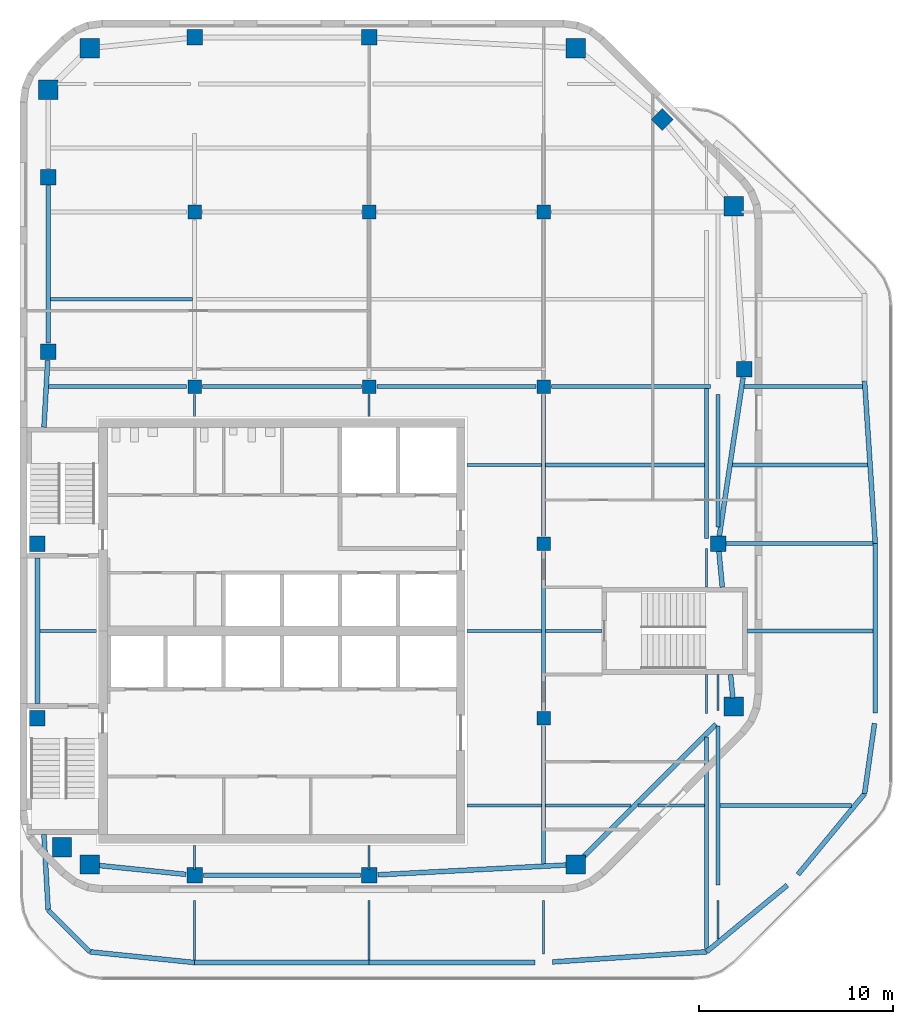
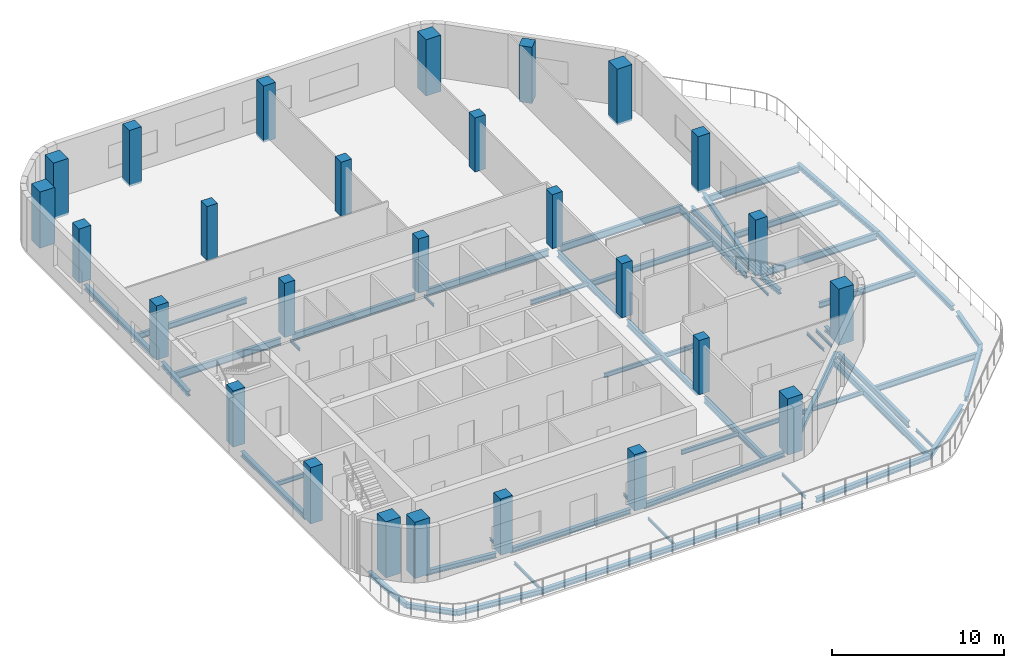
# One storey, part 1 of 7: 57 beams, 27 columns.
"""IFC4 building model written with IfcOpenShell, lengths in metres."""

from ifc_helpers import new_model, si_unit, direction, frame, origin, origin_2d, place, context, subcontext, project, spatial, rectangle, i_section, extrude, material, material_profile, profile_set, type_object, element, save


model = new_model("IFC4")

# Units and contexts
model_context = context("Model", 3, precision=1e-05, world=origin(), true_north=direction((0.0, 1.0)))
body_context = subcontext(model_context, "Body", "Model", "MODEL_VIEW")
ifc_project = project(units=[si_unit("LENGTHUNIT", "METRE"), si_unit("AREAUNIT", "SQUARE_METRE"), si_unit("VOLUMEUNIT", "CUBIC_METRE"), si_unit("PLANEANGLEUNIT", "RADIAN"), si_unit("MASSUNIT", "GRAM", prefix="KILO")], contexts=[model_context])

# Site, building, storey
site_placement = place(None, origin())
site = spatial("IfcSite", under=ifc_project, at=site_placement, CompositionType="ELEMENT")
building_placement = place(site_placement, origin())
building = spatial("IfcBuilding", under=site, at=building_placement, Name="Cinnabar Reach Civic Tower", CompositionType="ELEMENT")
storey_placement = place(building_placement, frame((0.0, 0.0, 247.0)))
storey = spatial("IfcBuildingStorey", under=building, at=storey_placement, Name="L59", CompositionType="ELEMENT", Elevation=247.0)

# Columns
ifc_material_1 = material(Name="Concrete C70", Category="concrete")
ifc_material_profile_1 = material_profile(ifc_material_1, rectangle(XDim=1.0, YDim=1.0, at=origin_2d()), Name="RC1000")
ifc_profile_set_1 = profile_set([ifc_material_profile_1], Name="Concrete C70")
column_type_1 = type_object("IfcColumnType", Name="RC1000 column R 240", PredefinedType="COLUMN", material=ifc_profile_set_1)
for number, where, z_axis, x_axis, name in (
    (1, (3.6019, 19.4531, -0.15), (0.0, 0.0, 1.0), (1.0, 0.0, 0.0), "Column T1-Z5-CC0"),
    (2, (28.6481, 19.4531, -0.15), (0.0, 0.0, 1.0), (1.0, 0.0, 0.0), "Column T1-Z5-CC1"),
    (3, (36.7969, 27.6019, -0.15), (0.0, 0.0, 1.0), (1.0, 0.0, 0.0), "Column T1-Z5-CC2"),
    (4, (36.7969, 53.3981, -0.15), (0.0, 0.0, 1.0), (1.0, 0.0, 0.0), "Column T1-Z5-CC3"),
    (5, (28.6481, 61.5469, -0.15), (0.0, 0.0, 1.0), (1.0, 0.0, 0.0), "Column T1-Z5-CC4"),
    (6, (3.6019, 61.5469, -0.15), (0.0, 0.0, 1.0), (1.0, 0.0, 0.0), "Column T1-Z5-CC5"),
    (7, (1.4531, 59.3981, -0.15), (0.0, 0.0, 1.0), (1.0, 0.0, 0.0), "Column T1-Z5-CC6"),
    (8, (2.1631, 20.35, -0.15), (0.0, 0.0, 1.0), (1.0, 0.0, 0.0), "Column T1-Z5-CC7"),
):
    element("IfcColumn", number, at=place(storey_placement, frame(where, z_axis=z_axis, x_axis=x_axis)), inside=storey, type_object=column_type_1, Name=name, PredefinedType="COLUMN", context=body_context, shape_type="SweptSolid", body=[
        extrude(rectangle(XDim=1.0, YDim=1.0, at=origin_2d()), origin(), (0.0, 0.0, 1.0), 4.0),
    ])
ifc_material_2 = material(Name="Concrete C60", Category="concrete")
ifc_material_profile_2 = material_profile(ifc_material_2, rectangle(XDim=0.7, YDim=0.7, at=origin_2d()), Name="RC700")
ifc_profile_set_2 = profile_set([ifc_material_profile_2], Name="Concrete C60")
column_type_2 = type_object("IfcColumnType", Name="RC700 column R 240", PredefinedType="COLUMN", material=ifc_profile_set_2)
for number, where, z_axis, x_axis, name in (
    (9, (9.0, 44.1, 0.0), (0.0, 0.0, 1.0), (1.0, 0.0, 0.0), "Column T1-Z5-I9_45"),
    (10, (9.0, 53.1, 0.0), (0.0, 0.0, 1.0), (1.0, 0.0, 0.0), "Column T1-Z5-I9_54"),
    (11, (18.0, 44.1, 0.0), (0.0, 0.0, 1.0), (1.0, 0.0, 0.0), "Column T1-Z5-I18_45"),
    (12, (18.0, 53.1, 0.0), (0.0, 0.0, 1.0), (1.0, 0.0, 0.0), "Column T1-Z5-I18_54"),
    (13, (27.0, 27.0, 0.0), (0.0, 0.0, 1.0), (1.0, 0.0, 0.0), "Column T1-Z5-I27_27"),
    (14, (27.0, 36.0, 0.0), (0.0, 0.0, 1.0), (1.0, 0.0, 0.0), "Column T1-Z5-I27_36"),
    (15, (27.0, 44.1, 0.0), (0.0, 0.0, 1.0), (1.0, 0.0, 0.0), "Column T1-Z5-I27_45"),
    (16, (27.0, 53.1, 0.0), (0.0, 0.0, 1.0), (1.0, 0.0, 0.0), "Column T1-Z5-I27_54"),
):
    element("IfcColumn", number, at=place(storey_placement, frame(where, z_axis=z_axis, x_axis=x_axis)), inside=storey, type_object=column_type_2, Name=name, PredefinedType="COLUMN", context=body_context, shape_type="SweptSolid", body=[
        extrude(rectangle(XDim=0.7, YDim=0.7, at=origin_2d()), origin(), (0.0, 0.0, 1.0), 3.85),
    ])
ifc_material_profile_3 = material_profile(ifc_material_2, rectangle(XDim=0.8, YDim=0.8, at=origin_2d()), Name="RC800")
ifc_profile_set_3 = profile_set([ifc_material_profile_3], Name="Concrete C60")
column_type_3 = type_object("IfcColumnType", Name="RC800 column R 240", PredefinedType="COLUMN", material=ifc_profile_set_3)
for number, where, z_axis, x_axis, name in (
    (17, (9.0, 18.9, -0.15), (0.0, 0.0, 1.0), (1.0, 0.0, 0.0), "Column T1-Z5-F0-1"),
    (18, (18.0, 18.9, -0.15), (0.0, 0.0, 1.0), (1.0, 0.0, 0.0), "Column T1-Z5-F0-2"),
    (19, (36.0, 36.0, -0.15), (0.0, 0.0, 1.0), (1.0, 0.0, 0.0), "Column T1-Z5-F2-4"),
    (20, (37.35, 45.0, -0.15), (0.0, 0.0, 1.0), (1.0, 0.0, 0.0), "Column T1-Z5-F2-5"),
    (21, (33.1136, 57.8636, -0.15), (0.0, 0.0, 1.0), (0.707106781187, 0.707106781187, 0.0), "Column T1-Z5-F3-M"),
    (22, (9.0, 62.1, -0.15), (0.0, 0.0, 1.0), (1.0, 0.0, 0.0), "Column T1-Z5-F4-1"),
    (23, (18.0, 62.1, -0.15), (0.0, 0.0, 1.0), (1.0, 0.0, 0.0), "Column T1-Z5-F4-2"),
    (24, (0.9, 27.0, 0.0), (0.0, 0.0, 1.0), (1.0, 0.0, 0.0), "Column T1-Z5-F6-3"),
    (25, (0.9, 36.0, 0.0), (0.0, 0.0, 1.0), (1.0, 0.0, 0.0), "Column T1-Z5-F6-4"),
):
    element("IfcColumn", number, at=place(storey_placement, frame(where, z_axis=z_axis, x_axis=x_axis)), inside=storey, type_object=column_type_3, Name=name, PredefinedType="COLUMN", context=body_context, shape_type="SweptSolid", body=[
        extrude(rectangle(XDim=0.8, YDim=0.8, at=origin_2d()), origin(), (0.0, 0.0, 1.0), 4.0),
    ])
for number, where, z_axis, x_axis, name in (
    (26, (1.4531, 45.8981, 0.0), (0.0, 0.0, 1.0), (1.0, 0.0, 0.0), "Column T1-Z5-F6-5"),
    (27, (1.4531, 54.8981, 0.0), (0.0, 0.0, 1.0), (1.0, 0.0, 0.0), "Column T1-Z5-F6-6"),
):
    element("IfcColumn", number, at=place(storey_placement, frame(where, z_axis=z_axis, x_axis=x_axis)), inside=storey, type_object=column_type_3, Name=name, PredefinedType="COLUMN", context=body_context, shape_type="SweptSolid", body=[
        extrude(rectangle(XDim=0.8, YDim=0.8, at=origin_2d()), origin(), (0.0, 0.0, 1.0), 3.85),
    ])

# Beams
ifc_material_3 = material(Name="Steel Q355B", Category="steel")
ifc_material_profile_4 = material_profile(ifc_material_3, i_section(OverallWidth=0.25, OverallDepth=0.34, WebThickness=0.009, FlangeThickness=0.014, FilletRadius=0.013, at=origin_2d()), Name="HM340x250x9x14")
ifc_profile_set_4 = profile_set([ifc_material_profile_4], Name="Steel Q355B")
beam_type_1 = type_object("IfcBeamType", Name="HM340x250x9x14 beam R 180", PredefinedType="BEAM", material=ifc_profile_set_4)
beam_1_placement = place(storey_placement, frame((4.0339, 19.4088, -0.32), z_axis=(0.994792272495, -0.101923179821, 0.0), x_axis=(0.101923179821, 0.994792272495, 0.0)))
element("IfcBeam", 28, at=beam_1_placement, inside=storey, type_object=beam_type_1, Name="Edge beam T1 L59 1", PredefinedType="BEAM", context=body_context, shape_type="SweptSolid", body=[
    extrude(i_section(OverallWidth=0.25, OverallDepth=0.34, WebThickness=0.009, FlangeThickness=0.014, FilletRadius=0.013, at=origin_2d()), origin(), (0.0, 0.0, 1.0), 4.5377),
])
beam_2_placement = place(storey_placement, frame((9.452, 18.9, -0.32), z_axis=(1.0, 0.0, 0.0), x_axis=(0.0, 1.0, 0.0)))
element("IfcBeam", 29, at=beam_2_placement, inside=storey, type_object=beam_type_1, Name="Edge beam T1 L59 2", PredefinedType="BEAM", context=body_context, shape_type="SweptSolid", body=[
    extrude(i_section(OverallWidth=0.25, OverallDepth=0.34, WebThickness=0.009, FlangeThickness=0.014, FilletRadius=0.013, at=origin_2d()), origin(), (0.0, 0.0, 1.0), 8.096),
])
beam_3_placement = place(storey_placement, frame((18.452, 18.9235, -0.32), z_axis=(0.998653562367, 0.051875450562, 0.0), x_axis=(-0.051875450562, 0.998653562367, 0.0)))
element("IfcBeam", 30, at=beam_3_placement, inside=storey, type_object=beam_type_1, Name="Edge beam T1 L59 3", PredefinedType="BEAM", context=body_context, shape_type="SweptSolid", body=[
    extrude(i_section(OverallWidth=0.25, OverallDepth=0.34, WebThickness=0.009, FlangeThickness=0.014, FilletRadius=0.013, at=origin_2d()), origin(), (0.0, 0.0, 1.0), 9.7773),
])
beam_4_placement = place(storey_placement, frame((29.0801, 19.8851, -0.32), z_axis=(0.707106781187, 0.707106781187, 0.0), x_axis=(-0.707106781187, 0.707106781187, 0.0)))
element("IfcBeam", 31, at=beam_4_placement, inside=storey, type_object=beam_type_1, Name="Edge beam T1 L59 4", PredefinedType="BEAM", context=body_context, shape_type="SweptSolid", body=[
    extrude(i_section(OverallWidth=0.25, OverallDepth=0.34, WebThickness=0.009, FlangeThickness=0.014, FilletRadius=0.013, at=origin_2d()), origin(), (0.0, 0.0, 1.0), 9.6254),
])
beam_5_placement = place(storey_placement, frame((36.7559, 28.0339, -0.32), z_axis=(-0.094460828855, 0.995528579104, 0.0), x_axis=(-0.995528579104, -0.094460828855, 0.0)))
element("IfcBeam", 32, at=beam_5_placement, inside=storey, type_object=beam_type_1, Name="Edge beam T1 L59 5", PredefinedType="BEAM", context=body_context, shape_type="SweptSolid", body=[
    extrude(i_section(OverallWidth=0.25, OverallDepth=0.34, WebThickness=0.009, FlangeThickness=0.014, FilletRadius=0.013, at=origin_2d()), origin(), (0.0, 0.0, 1.0), 1.2196),
])
beam_6_placement = place(storey_placement, frame((36.2133, 33.752, -0.32), z_axis=(-0.09447742534, 0.995527004205, 0.0), x_axis=(-0.995527004205, -0.09447742534, 0.0)))
element("IfcBeam", 33, at=beam_6_placement, inside=storey, type_object=beam_type_1, Name="Edge beam T1 L59 6", PredefinedType="BEAM", context=body_context, shape_type="SweptSolid", body=[
    extrude(i_section(OverallWidth=0.25, OverallDepth=0.34, WebThickness=0.009, FlangeThickness=0.014, FilletRadius=0.013, at=origin_2d()), origin(), (0.0, 0.0, 1.0), 1.992),
])
beam_7_placement = place(storey_placement, frame((36.0387, 36.2577, -0.32), z_axis=(0.148335203069, 0.988937140333, 0.0), x_axis=(-0.988937140333, 0.148335203069, 0.0)))
element("IfcBeam", 34, at=beam_7_placement, inside=storey, type_object=beam_type_1, Name="Edge beam T1 L59 7", PredefinedType="BEAM", context=body_context, shape_type="SweptSolid", body=[
    extrude(i_section(OverallWidth=0.25, OverallDepth=0.34, WebThickness=0.009, FlangeThickness=0.014, FilletRadius=0.013, at=origin_2d()), origin(), (0.0, 0.0, 1.0), 8.383),
])
beam_8_placement = place(storey_placement, frame((1.4531, 54.4661, -0.32), z_axis=(0.0, -1.0, 0.0), x_axis=(1.0, 0.0, 0.0)))
element("IfcBeam", 35, at=beam_8_placement, inside=storey, type_object=beam_type_1, Name="Edge beam T1 L59 16", PredefinedType="BEAM", context=body_context, shape_type="SweptSolid", body=[
    extrude(i_section(OverallWidth=0.25, OverallDepth=0.34, WebThickness=0.009, FlangeThickness=0.014, FilletRadius=0.013, at=origin_2d()), origin(), (0.0, 0.0, 1.0), 8.116),
])
beam_9_placement = place(storey_placement, frame((1.4278, 45.4461, -0.32), z_axis=(-0.0557766862, -0.998443268932, 0.0), x_axis=(0.998443268932, -0.0557766862, 0.0)))
element("IfcBeam", 36, at=beam_9_placement, inside=storey, type_object=beam_type_1, Name="Edge beam T1 L59 17", PredefinedType="BEAM", context=body_context, shape_type="SweptSolid", body=[
    extrude(i_section(OverallWidth=0.25, OverallDepth=0.34, WebThickness=0.009, FlangeThickness=0.014, FilletRadius=0.013, at=origin_2d()), origin(), (0.0, 0.0, 1.0), 3.4495),
])
beam_10_placement = place(storey_placement, frame((0.9, 35.248, -0.32), z_axis=(0.0, -1.0, 0.0), x_axis=(1.0, 0.0, 0.0)))
element("IfcBeam", 37, at=beam_10_placement, inside=storey, type_object=beam_type_1, Name="Edge beam T1 L59 18", PredefinedType="BEAM", context=body_context, shape_type="SweptSolid", body=[
    extrude(i_section(OverallWidth=0.25, OverallDepth=0.34, WebThickness=0.009, FlangeThickness=0.014, FilletRadius=0.013, at=origin_2d()), origin(), (0.0, 0.0, 1.0), 7.496),
])
beam_11_placement = place(storey_placement, frame((3.6019, 14.9531, -0.32), z_axis=(0.994791744888, -0.101928329245, 0.0), x_axis=(0.101928329245, 0.994791744888, 0.0)))
element("IfcBeam", 38, at=beam_11_placement, inside=storey, type_object=beam_type_1, Name="Edge beam T1 L59 19", PredefinedType="BEAM", context=body_context, shape_type="SweptSolid", body=[
    extrude(i_section(OverallWidth=0.25, OverallDepth=0.34, WebThickness=0.009, FlangeThickness=0.014, FilletRadius=0.013, at=origin_2d()), origin(), (0.0, 0.0, 1.0), 5.4264),
])
beam_12_placement = place(storey_placement, frame((9.0, 14.4, -0.32), z_axis=(1.0, 0.0, 0.0), x_axis=(0.0, 1.0, 0.0)))
element("IfcBeam", 39, at=beam_12_placement, inside=storey, type_object=beam_type_1, Name="Edge beam T1 L59 20", PredefinedType="BEAM", context=body_context, shape_type="SweptSolid", body=[
    extrude(i_section(OverallWidth=0.25, OverallDepth=0.34, WebThickness=0.009, FlangeThickness=0.014, FilletRadius=0.013, at=origin_2d()), origin(), (0.0, 0.0, 1.0), 9.0),
])
beam_13_placement = place(storey_placement, frame((18.0, 14.4, -0.32), z_axis=(1.0, 0.0, 0.0), x_axis=(0.0, 1.0, 0.0)))
element("IfcBeam", 40, at=beam_13_placement, inside=storey, type_object=beam_type_1, Name="Edge beam T1 L59 21", PredefinedType="BEAM", context=body_context, shape_type="SweptSolid", body=[
    extrude(i_section(OverallWidth=0.25, OverallDepth=0.34, WebThickness=0.009, FlangeThickness=0.014, FilletRadius=0.013, at=origin_2d()), origin(), (0.0, 0.0, 1.0), 8.548),
])
beam_14_placement = place(storey_placement, frame((27.452, 14.4298, -0.32), z_axis=(0.997838508374, 0.065713858551, 0.0), x_axis=(-0.065713858551, 0.997838508374, 0.0)))
element("IfcBeam", 41, at=beam_14_placement, inside=storey, type_object=beam_type_1, Name="Edge beam T1 L59 22", PredefinedType="BEAM", context=body_context, shape_type="SweptSolid", body=[
    extrude(i_section(OverallWidth=0.25, OverallDepth=0.34, WebThickness=0.009, FlangeThickness=0.014, FilletRadius=0.013, at=origin_2d()), origin(), (0.0, 0.0, 1.0), 7.9633),
])
for number, where, z_axis, x_axis, name in (
    (42, (35.3981, 14.9531, -0.32), (0.77143719796, 0.636305468784, 0.0), (-0.636305468784, 0.77143719796, 0.0), "Edge beam T1 L59 23"),
    (43, (40.1142, 18.9402, -0.32), (0.636305468784, 0.77143719796, 0.0), (-0.77143719796, 0.636305468784, 0.0), "Edge beam T1 L59 24"),
):
    element("IfcBeam", number, at=place(storey_placement, frame(where, z_axis=z_axis, x_axis=x_axis)), inside=storey, type_object=beam_type_1, Name=name, PredefinedType="BEAM", context=body_context, shape_type="SweptSolid", body=[
        extrude(i_section(OverallWidth=0.25, OverallDepth=0.34, WebThickness=0.009, FlangeThickness=0.014, FilletRadius=0.013, at=origin_2d()), origin(), (0.0, 0.0, 1.0), 5.3947),
    ])
beam_15_placement = place(storey_placement, frame((43.5469, 23.1019, -0.32), z_axis=(0.140473335285, 0.990084462091, 0.0), x_axis=(-0.990084462091, 0.140473335285, 0.0)))
element("IfcBeam", 44, at=beam_15_placement, inside=storey, type_object=beam_type_1, Name="Edge beam T1 L59 25", PredefinedType="BEAM", context=body_context, shape_type="SweptSolid", body=[
    extrude(i_section(OverallWidth=0.25, OverallDepth=0.34, WebThickness=0.009, FlangeThickness=0.014, FilletRadius=0.013, at=origin_2d()), origin(), (0.0, 0.0, 1.0), 3.6626),
])
beam_16_placement = place(storey_placement, frame((44.1, 27.27, -0.32), z_axis=(0.0, 1.0, 0.0), x_axis=(-1.0, 0.0, 0.0)))
element("IfcBeam", 45, at=beam_16_placement, inside=storey, type_object=beam_type_1, Name="Edge beam T1 L59 26", PredefinedType="BEAM", context=body_context, shape_type="SweptSolid", body=[
    extrude(i_section(OverallWidth=0.25, OverallDepth=0.34, WebThickness=0.009, FlangeThickness=0.014, FilletRadius=0.013, at=origin_2d()), origin(), (0.0, 0.0, 1.0), 8.73),
])
beam_17_placement = place(storey_placement, frame((44.1, 36.0, -0.32), z_axis=(-0.065717761969, 0.997838251302, 0.0), x_axis=(-0.997838251302, -0.065717761969, 0.0)))
element("IfcBeam", 46, at=beam_17_placement, inside=storey, type_object=beam_type_1, Name="Edge beam T1 L59 27", PredefinedType="BEAM", context=body_context, shape_type="SweptSolid", body=[
    extrude(i_section(OverallWidth=0.25, OverallDepth=0.34, WebThickness=0.009, FlangeThickness=0.014, FilletRadius=0.013, at=origin_2d()), origin(), (0.0, 0.0, 1.0), 8.4163),
])
beam_18_placement = place(storey_placement, frame((1.2354, 20.998, -0.32), z_axis=(0.055789365117, -0.998442560561, 0.0), x_axis=(0.998442560561, 0.055789365117, 0.0)))
element("IfcBeam", 47, at=beam_18_placement, inside=storey, type_object=beam_type_1, Name="Edge beam T1 L59 31", PredefinedType="BEAM", context=body_context, shape_type="SweptSolid", body=[
    extrude(i_section(OverallWidth=0.25, OverallDepth=0.34, WebThickness=0.009, FlangeThickness=0.014, FilletRadius=0.013, at=origin_2d()), origin(), (0.0, 0.0, 1.0), 3.9022),
])
beam_19_placement = place(storey_placement, frame((1.4531, 17.1019, -0.32), z_axis=(0.707106781187, -0.707106781187, 0.0), x_axis=(0.707106781187, 0.707106781187, 0.0)))
element("IfcBeam", 48, at=beam_19_placement, inside=storey, type_object=beam_type_1, Name="Edge beam T1 L59 32", PredefinedType="BEAM", context=body_context, shape_type="SweptSolid", body=[
    extrude(i_section(OverallWidth=0.25, OverallDepth=0.34, WebThickness=0.009, FlangeThickness=0.014, FilletRadius=0.013, at=origin_2d()), origin(), (0.0, 0.0, 1.0), 3.0389),
])
ifc_material_profile_5 = material_profile(ifc_material_3, i_section(OverallWidth=0.099, OverallDepth=0.198, WebThickness=0.0045, FlangeThickness=0.007, FilletRadius=0.013, at=origin_2d()), Name="HN200x100x5.5x8")
ifc_profile_set_5 = profile_set([ifc_material_profile_5], Name="Steel Q355B")
beam_type_2 = type_object("IfcBeamType", Name="HN200x100x5.5x8 beam R 180", PredefinedType="BEAM", material=ifc_profile_set_5)
beam_20_placement = place(storey_placement, frame((9.0, 14.5277, -0.249), z_axis=(0.0, 1.0, 0.0), x_axis=(-1.0, 0.0, 0.0)))
element("IfcBeam", 49, at=beam_20_placement, inside=storey, type_object=beam_type_2, Name="Girder T1 L59 1", PredefinedType="BEAM", context=body_context, shape_type="SweptSolid", body=[
    extrude(i_section(OverallWidth=0.099, OverallDepth=0.198, WebThickness=0.0045, FlangeThickness=0.007, FilletRadius=0.013, at=origin_2d()), origin(), (0.0, 0.0, 1.0), 3.0703),
])
beam_21_placement = place(storey_placement, frame((9.0, 19.202, -0.249), z_axis=(0.0, 1.0, 0.0), x_axis=(-1.0, 0.0, 0.0)))
element("IfcBeam", 50, at=beam_21_placement, inside=storey, type_object=beam_type_2, Name="Girder T1 L59 2", PredefinedType="BEAM", context=body_context, shape_type="SweptSolid", body=[
    extrude(i_section(OverallWidth=0.099, OverallDepth=0.198, WebThickness=0.0045, FlangeThickness=0.007, FilletRadius=0.013, at=origin_2d()), origin(), (0.0, 0.0, 1.0), 1.246),
])
beam_22_placement = place(storey_placement, frame((9.0, 42.552, -0.249), z_axis=(0.0, 1.0, 0.0), x_axis=(-1.0, 0.0, 0.0)))
element("IfcBeam", 51, at=beam_22_placement, inside=storey, type_object=beam_type_2, Name="Girder T1 L59 3", PredefinedType="BEAM", context=body_context, shape_type="SweptSolid", body=[
    extrude(i_section(OverallWidth=0.099, OverallDepth=0.198, WebThickness=0.0045, FlangeThickness=0.007, FilletRadius=0.013, at=origin_2d()), origin(), (0.0, 0.0, 1.0), 1.146),
])
beam_23_placement = place(storey_placement, frame((18.0, 14.527, -0.249), z_axis=(0.0, 1.0, 0.0), x_axis=(-1.0, 0.0, 0.0)))
element("IfcBeam", 52, at=beam_23_placement, inside=storey, type_object=beam_type_2, Name="Girder T1 L59 6", PredefinedType="BEAM", context=body_context, shape_type="SweptSolid", body=[
    extrude(i_section(OverallWidth=0.099, OverallDepth=0.198, WebThickness=0.0045, FlangeThickness=0.007, FilletRadius=0.013, at=origin_2d()), origin(), (0.0, 0.0, 1.0), 3.071),
])
beam_24_placement = place(storey_placement, frame((18.0, 19.202, -0.249), z_axis=(0.0, 1.0, 0.0), x_axis=(-1.0, 0.0, 0.0)))
element("IfcBeam", 53, at=beam_24_placement, inside=storey, type_object=beam_type_2, Name="Girder T1 L59 7", PredefinedType="BEAM", context=body_context, shape_type="SweptSolid", body=[
    extrude(i_section(OverallWidth=0.099, OverallDepth=0.198, WebThickness=0.0045, FlangeThickness=0.007, FilletRadius=0.013, at=origin_2d()), origin(), (0.0, 0.0, 1.0), 1.246),
])
beam_25_placement = place(storey_placement, frame((18.0, 42.552, -0.249), z_axis=(0.0, 1.0, 0.0), x_axis=(-1.0, 0.0, 0.0)))
element("IfcBeam", 54, at=beam_25_placement, inside=storey, type_object=beam_type_2, Name="Girder T1 L59 8", PredefinedType="BEAM", context=body_context, shape_type="SweptSolid", body=[
    extrude(i_section(OverallWidth=0.099, OverallDepth=0.198, WebThickness=0.0045, FlangeThickness=0.007, FilletRadius=0.013, at=origin_2d()), origin(), (0.0, 0.0, 1.0), 1.146),
])
beam_26_placement = place(storey_placement, frame((27.0, 14.852, -0.249), z_axis=(0.0, 1.0, 0.0), x_axis=(-1.0, 0.0, 0.0)))
element("IfcBeam", 55, at=beam_26_placement, inside=storey, type_object=beam_type_2, Name="Girder T1 L59 11", PredefinedType="BEAM", context=body_context, shape_type="SweptSolid", body=[
    extrude(i_section(OverallWidth=0.099, OverallDepth=0.198, WebThickness=0.0045, FlangeThickness=0.007, FilletRadius=0.013, at=origin_2d()), origin(), (0.0, 0.0, 1.0), 2.746),
])
for number, where, z_axis, x_axis, name in (
    (56, (35.3981, 27.252, -0.249), (0.0, 1.0, 0.0), (-1.0, 0.0, 0.0), "Girder T1 L59 19"),
    (57, (35.3981, 33.752, -0.249), (0.0, 1.0, 0.0), (-1.0, 0.0, 0.0), "Girder T1 L59 20"),
):
    element("IfcBeam", number, at=place(storey_placement, frame(where, z_axis=z_axis, x_axis=x_axis)), inside=storey, type_object=beam_type_2, Name=name, PredefinedType="BEAM", context=body_context, shape_type="SweptSolid", body=[
        extrude(i_section(OverallWidth=0.099, OverallDepth=0.198, WebThickness=0.0045, FlangeThickness=0.007, FilletRadius=0.013, at=origin_2d()), origin(), (0.0, 0.0, 1.0), 1.996),
    ])
beam_27_placement = place(storey_placement, frame((36.0, 15.6142, -0.249), z_axis=(0.0, 1.0, 0.0), x_axis=(-1.0, 0.0, 0.0)))
element("IfcBeam", 58, at=beam_27_placement, inside=storey, type_object=beam_type_2, Name="Girder T1 L59 25", PredefinedType="BEAM", context=body_context, shape_type="SweptSolid", body=[
    extrude(i_section(OverallWidth=0.099, OverallDepth=0.198, WebThickness=0.0045, FlangeThickness=0.007, FilletRadius=0.013, at=origin_2d()), origin(), (0.0, 0.0, 1.0), 1.9838),
])
beam_28_placement = place(storey_placement, frame((36.0, 27.402, -0.249), z_axis=(0.0, 1.0, 0.0), x_axis=(-1.0, 0.0, 0.0)))
element("IfcBeam", 59, at=beam_28_placement, inside=storey, type_object=beam_type_2, Name="Girder T1 L59 27", PredefinedType="BEAM", context=body_context, shape_type="SweptSolid", body=[
    extrude(i_section(OverallWidth=0.099, OverallDepth=0.198, WebThickness=0.0045, FlangeThickness=0.007, FilletRadius=0.013, at=origin_2d()), origin(), (0.0, 0.0, 1.0), 1.846),
])
ifc_material_profile_6 = material_profile(ifc_material_3, i_section(OverallWidth=0.15, OverallDepth=0.3, WebThickness=0.0065, FlangeThickness=0.009, FilletRadius=0.013, at=origin_2d()), Name="HN300x150x6.5x9")
ifc_profile_set_6 = profile_set([ifc_material_profile_6], Name="Steel Q355B")
beam_type_3 = type_object("IfcBeamType", Name="HN300x150x6.5x9 beam R 180", PredefinedType="BEAM", material=ifc_profile_set_6)
beam_29_placement = place(storey_placement, frame((23.052, 22.5, -0.3), z_axis=(1.0, 0.0, 0.0), x_axis=(0.0, 1.0, 0.0)))
element("IfcBeam", 60, at=beam_29_placement, inside=storey, type_object=beam_type_3, Name="Secondary beam T1 L59 1", PredefinedType="BEAM", context=body_context, shape_type="SweptSolid", body=[
    extrude(i_section(OverallWidth=0.15, OverallDepth=0.3, WebThickness=0.0065, FlangeThickness=0.009, FilletRadius=0.013, at=origin_2d()), origin(), (0.0, 0.0, 1.0), 3.846),
])
beam_30_placement = place(storey_placement, frame((27.102, 22.5, -0.3), z_axis=(1.0, 0.0, 0.0), x_axis=(0.0, 1.0, 0.0)))
element("IfcBeam", 61, at=beam_30_placement, inside=storey, type_object=beam_type_3, Name="Secondary beam T1 L59 2", PredefinedType="BEAM", context=body_context, shape_type="SweptSolid", body=[
    extrude(i_section(OverallWidth=0.15, OverallDepth=0.3, WebThickness=0.0065, FlangeThickness=0.009, FilletRadius=0.013, at=origin_2d()), origin(), (0.0, 0.0, 1.0), 4.4134),
])
beam_31_placement = place(storey_placement, frame((31.8746, 22.5, -0.3), z_axis=(1.0, 0.0, 0.0), x_axis=(0.0, 1.0, 0.0)))
element("IfcBeam", 62, at=beam_31_placement, inside=storey, type_object=beam_type_3, Name="Secondary beam T1 L59 3", PredefinedType="BEAM", context=body_context, shape_type="SweptSolid", body=[
    extrude(i_section(OverallWidth=0.15, OverallDepth=0.3, WebThickness=0.0065, FlangeThickness=0.009, FilletRadius=0.013, at=origin_2d()), origin(), (0.0, 0.0, 1.0), 3.4215),
])
beam_32_placement = place(storey_placement, frame((1.027, 31.5, -0.3), z_axis=(1.0, 0.0, 0.0), x_axis=(0.0, 1.0, 0.0)))
element("IfcBeam", 63, at=beam_32_placement, inside=storey, type_object=beam_type_3, Name="Secondary beam T1 L59 5", PredefinedType="BEAM", context=body_context, shape_type="SweptSolid", body=[
    extrude(i_section(OverallWidth=0.15, OverallDepth=0.3, WebThickness=0.0065, FlangeThickness=0.009, FilletRadius=0.013, at=origin_2d()), origin(), (0.0, 0.0, 1.0), 2.921),
])
beam_33_placement = place(storey_placement, frame((23.052, 31.5, -0.3), z_axis=(1.0, 0.0, 0.0), x_axis=(0.0, 1.0, 0.0)))
element("IfcBeam", 64, at=beam_33_placement, inside=storey, type_object=beam_type_3, Name="Secondary beam T1 L59 6", PredefinedType="BEAM", context=body_context, shape_type="SweptSolid", body=[
    extrude(i_section(OverallWidth=0.15, OverallDepth=0.3, WebThickness=0.0065, FlangeThickness=0.009, FilletRadius=0.013, at=origin_2d()), origin(), (0.0, 0.0, 1.0), 3.846),
])
beam_34_placement = place(storey_placement, frame((27.102, 31.5, -0.3), z_axis=(1.0, 0.0, 0.0), x_axis=(0.0, 1.0, 0.0)))
element("IfcBeam", 65, at=beam_34_placement, inside=storey, type_object=beam_type_3, Name="Secondary beam T1 L59 7", PredefinedType="BEAM", context=body_context, shape_type="SweptSolid", body=[
    extrude(i_section(OverallWidth=0.15, OverallDepth=0.3, WebThickness=0.0065, FlangeThickness=0.009, FilletRadius=0.013, at=origin_2d()), origin(), (0.0, 0.0, 1.0), 2.896),
])
beam_35_placement = place(storey_placement, frame((23.052, 40.05, -0.3), z_axis=(1.0, 0.0, 0.0), x_axis=(0.0, 1.0, 0.0)))
element("IfcBeam", 66, at=beam_35_placement, inside=storey, type_object=beam_type_3, Name="Secondary beam T1 L59 9", PredefinedType="BEAM", context=body_context, shape_type="SweptSolid", body=[
    extrude(i_section(OverallWidth=0.15, OverallDepth=0.3, WebThickness=0.0065, FlangeThickness=0.009, FilletRadius=0.013, at=origin_2d()), origin(), (0.0, 0.0, 1.0), 3.846),
])
ifc_material_profile_7 = material_profile(ifc_material_3, i_section(OverallWidth=0.2, OverallDepth=0.4, WebThickness=0.008, FlangeThickness=0.013, FilletRadius=0.016, at=origin_2d()), Name="HN400x200x8x13")
ifc_profile_set_7 = profile_set([ifc_material_profile_7], Name="Steel Q355B")
beam_type_4 = type_object("IfcBeamType", Name="HN400x200x8x13 beam R 180", PredefinedType="BEAM", material=ifc_profile_set_7)
beam_36_placement = place(storey_placement, frame((36.102, 22.5, -0.35), z_axis=(1.0, 0.0, 0.0), x_axis=(0.0, 1.0, 0.0)))
element("IfcBeam", 67, at=beam_36_placement, inside=storey, type_object=beam_type_4, Name="Secondary beam T1 L59 4", PredefinedType="BEAM", context=body_context, shape_type="SweptSolid", body=[
    extrude(i_section(OverallWidth=0.2, OverallDepth=0.4, WebThickness=0.008, FlangeThickness=0.013, FilletRadius=0.016, at=origin_2d()), origin(), (0.0, 0.0, 1.0), 6.7838),
])
beam_37_placement = place(storey_placement, frame((37.502, 31.5, -0.35), z_axis=(1.0, 0.0, 0.0), x_axis=(0.0, 1.0, 0.0)))
element("IfcBeam", 68, at=beam_37_placement, inside=storey, type_object=beam_type_4, Name="Secondary beam T1 L59 8", PredefinedType="BEAM", context=body_context, shape_type="SweptSolid", body=[
    extrude(i_section(OverallWidth=0.2, OverallDepth=0.4, WebThickness=0.008, FlangeThickness=0.013, FilletRadius=0.016, at=origin_2d()), origin(), (0.0, 0.0, 1.0), 6.471),
])
beam_38_placement = place(storey_placement, frame((27.102, 40.05, -0.35), z_axis=(1.0, 0.0, 0.0), x_axis=(0.0, 1.0, 0.0)))
element("IfcBeam", 69, at=beam_38_placement, inside=storey, type_object=beam_type_4, Name="Secondary beam T1 L59 10", PredefinedType="BEAM", context=body_context, shape_type="SweptSolid", body=[
    extrude(i_section(OverallWidth=0.2, OverallDepth=0.4, WebThickness=0.008, FlangeThickness=0.013, FilletRadius=0.016, at=origin_2d()), origin(), (0.0, 0.0, 1.0), 8.1941),
])
beam_39_placement = place(storey_placement, frame((36.7359, 40.05, -0.35), z_axis=(1.0, 0.0, 0.0), x_axis=(0.0, 1.0, 0.0)))
element("IfcBeam", 70, at=beam_39_placement, inside=storey, type_object=beam_type_4, Name="Secondary beam T1 L59 11", PredefinedType="BEAM", context=body_context, shape_type="SweptSolid", body=[
    extrude(i_section(OverallWidth=0.2, OverallDepth=0.4, WebThickness=0.008, FlangeThickness=0.013, FilletRadius=0.016, at=origin_2d()), origin(), (0.0, 0.0, 1.0), 6.9701),
])
beam_40_placement = place(storey_placement, frame((1.5801, 48.6, -0.35), z_axis=(1.0, 0.0, 0.0), x_axis=(0.0, 1.0, 0.0)))
element("IfcBeam", 71, at=beam_40_placement, inside=storey, type_object=beam_type_4, Name="Secondary beam T1 L59 12", PredefinedType="BEAM", context=body_context, shape_type="SweptSolid", body=[
    extrude(i_section(OverallWidth=0.2, OverallDepth=0.4, WebThickness=0.008, FlangeThickness=0.013, FilletRadius=0.016, at=origin_2d()), origin(), (0.0, 0.0, 1.0), 7.3179),
])
ifc_material_profile_8 = material_profile(ifc_material_3, i_section(OverallWidth=0.2, OverallDepth=0.45, WebThickness=0.009, FlangeThickness=0.014, FilletRadius=0.016, at=origin_2d()), Name="HN450x200x9x14")
ifc_profile_set_8 = profile_set([ifc_material_profile_8], Name="Steel Q355B")
beam_type_5 = type_object("IfcBeamType", Name="HN450x200x9x14 beam R 180", PredefinedType="BEAM", material=ifc_profile_set_8)
beam_41_placement = place(storey_placement, frame((37.3434, 44.1, -0.375), z_axis=(1.0, 0.0, 0.0), x_axis=(0.0, 1.0, 0.0)))
element("IfcBeam", 72, at=beam_41_placement, inside=storey, type_object=beam_type_5, Name="Girder T1 L59 6", PredefinedType="BEAM", context=body_context, shape_type="SweptSolid", body=[
    extrude(i_section(OverallWidth=0.2, OverallDepth=0.45, WebThickness=0.009, FlangeThickness=0.014, FilletRadius=0.016, at=origin_2d()), origin(), (0.0, 0.0, 1.0), 6.0959),
])
beam_42_placement = place(storey_placement, frame((27.0, 19.4947, -0.375), z_axis=(0.0, 1.0, 0.0), x_axis=(-1.0, 0.0, 0.0)))
element("IfcBeam", 73, at=beam_42_placement, inside=storey, type_object=beam_type_5, Name="Girder T1 L59 12", PredefinedType="BEAM", context=body_context, shape_type="SweptSolid", body=[
    extrude(i_section(OverallWidth=0.2, OverallDepth=0.45, WebThickness=0.009, FlangeThickness=0.014, FilletRadius=0.016, at=origin_2d()), origin(), (0.0, 0.0, 1.0), 7.1033),
])
beam_43_placement = place(storey_placement, frame((27.0, 27.402, -0.375), z_axis=(0.0, 1.0, 0.0), x_axis=(-1.0, 0.0, 0.0)))
element("IfcBeam", 74, at=beam_43_placement, inside=storey, type_object=beam_type_5, Name="Girder T1 L59 13", PredefinedType="BEAM", context=body_context, shape_type="SweptSolid", body=[
    extrude(i_section(OverallWidth=0.2, OverallDepth=0.45, WebThickness=0.009, FlangeThickness=0.014, FilletRadius=0.016, at=origin_2d()), origin(), (0.0, 0.0, 1.0), 8.196),
])
beam_44_placement = place(storey_placement, frame((27.0, 36.402, -0.375), z_axis=(0.0, 1.0, 0.0), x_axis=(-1.0, 0.0, 0.0)))
element("IfcBeam", 75, at=beam_44_placement, inside=storey, type_object=beam_type_5, Name="Girder T1 L59 14", PredefinedType="BEAM", context=body_context, shape_type="SweptSolid", body=[
    extrude(i_section(OverallWidth=0.2, OverallDepth=0.45, WebThickness=0.009, FlangeThickness=0.014, FilletRadius=0.016, at=origin_2d()), origin(), (0.0, 0.0, 1.0), 7.296),
])
beam_45_placement = place(storey_placement, frame((35.3981, 15.1177, -0.375), z_axis=(0.0, 1.0, 0.0), x_axis=(-1.0, 0.0, 0.0)))
element("IfcBeam", 76, at=beam_45_placement, inside=storey, type_object=beam_type_5, Name="Girder T1 L59 18", PredefinedType="BEAM", context=body_context, shape_type="SweptSolid", body=[
    extrude(i_section(OverallWidth=0.2, OverallDepth=0.45, WebThickness=0.009, FlangeThickness=0.014, FilletRadius=0.016, at=origin_2d()), origin(), (0.0, 0.0, 1.0), 10.9058),
])
beam_46_placement = place(storey_placement, frame((35.3981, 36.252, -0.375), z_axis=(0.0, 1.0, 0.0), x_axis=(-1.0, 0.0, 0.0)))
element("IfcBeam", 77, at=beam_46_placement, inside=storey, type_object=beam_type_5, Name="Girder T1 L59 21", PredefinedType="BEAM", context=body_context, shape_type="SweptSolid", body=[
    extrude(i_section(OverallWidth=0.2, OverallDepth=0.45, WebThickness=0.009, FlangeThickness=0.014, FilletRadius=0.016, at=origin_2d()), origin(), (0.0, 0.0, 1.0), 7.746),
])
beam_47_placement = place(storey_placement, frame((36.0, 18.402, -0.375), z_axis=(0.0, 1.0, 0.0), x_axis=(-1.0, 0.0, 0.0)))
element("IfcBeam", 78, at=beam_47_placement, inside=storey, type_object=beam_type_5, Name="Girder T1 L59 26", PredefinedType="BEAM", context=body_context, shape_type="SweptSolid", body=[
    extrude(i_section(OverallWidth=0.2, OverallDepth=0.45, WebThickness=0.009, FlangeThickness=0.014, FilletRadius=0.016, at=origin_2d()), origin(), (0.0, 0.0, 1.0), 8.196),
])
beam_48_placement = place(storey_placement, frame((36.0, 36.8561, -0.375), z_axis=(0.0, 1.0, 0.0), x_axis=(-1.0, 0.0, 0.0)))
element("IfcBeam", 79, at=beam_48_placement, inside=storey, type_object=beam_type_5, Name="Girder T1 L59 28", PredefinedType="BEAM", context=body_context, shape_type="SweptSolid", body=[
    extrude(i_section(OverallWidth=0.2, OverallDepth=0.45, WebThickness=0.009, FlangeThickness=0.014, FilletRadius=0.016, at=origin_2d()), origin(), (0.0, 0.0, 1.0), 6.8419),
])
ifc_material_profile_9 = material_profile(ifc_material_3, i_section(OverallWidth=0.2, OverallDepth=0.5, WebThickness=0.01, FlangeThickness=0.016, FilletRadius=0.016, at=origin_2d()), Name="HN500x200x10x16")
ifc_profile_set_9 = profile_set([ifc_material_profile_9], Name="Steel Q355B")
beam_type_6 = type_object("IfcBeamType", Name="HN500x200x10x16 beam R 180", PredefinedType="BEAM", material=ifc_profile_set_9)
beam_49_placement = place(storey_placement, frame((36.402, 36.0, -0.4), z_axis=(1.0, 0.0, 0.0), x_axis=(0.0, 1.0, 0.0)))
element("IfcBeam", 80, at=beam_49_placement, inside=storey, type_object=beam_type_6, Name="Girder T1 L59 1", PredefinedType="BEAM", context=body_context, shape_type="SweptSolid", body=[
    extrude(i_section(OverallWidth=0.2, OverallDepth=0.5, WebThickness=0.01, FlangeThickness=0.016, FilletRadius=0.016, at=origin_2d()), origin(), (0.0, 0.0, 1.0), 7.5707),
])
beam_50_placement = place(storey_placement, frame((1.4798, 44.1, -0.4), z_axis=(1.0, 0.0, 0.0), x_axis=(0.0, 1.0, 0.0)))
element("IfcBeam", 81, at=beam_50_placement, inside=storey, type_object=beam_type_6, Name="Girder T1 L59 2", PredefinedType="BEAM", context=body_context, shape_type="SweptSolid", body=[
    extrude(i_section(OverallWidth=0.2, OverallDepth=0.5, WebThickness=0.01, FlangeThickness=0.016, FilletRadius=0.016, at=origin_2d()), origin(), (0.0, 0.0, 1.0), 7.1182),
])
for number, where, z_axis, x_axis, name in (
    (82, (9.402, 44.1, -0.4), (1.0, 0.0, 0.0), (0.0, 1.0, 0.0), "Girder T1 L59 3"),
    (83, (18.402, 44.1, -0.4), (1.0, 0.0, 0.0), (0.0, 1.0, 0.0), "Girder T1 L59 4"),
    (84, (27.402, 44.1, -0.4), (1.0, 0.0, 0.0), (0.0, 1.0, 0.0), "Girder T1 L59 5"),
):
    element("IfcBeam", number, at=place(storey_placement, frame(where, z_axis=z_axis, x_axis=x_axis)), inside=storey, type_object=beam_type_6, Name=name, PredefinedType="BEAM", context=body_context, shape_type="SweptSolid", body=[
        extrude(i_section(OverallWidth=0.2, OverallDepth=0.5, WebThickness=0.01, FlangeThickness=0.016, FilletRadius=0.016, at=origin_2d()), origin(), (0.0, 0.0, 1.0), 8.196),
    ])

save(model, "model.ifc")
